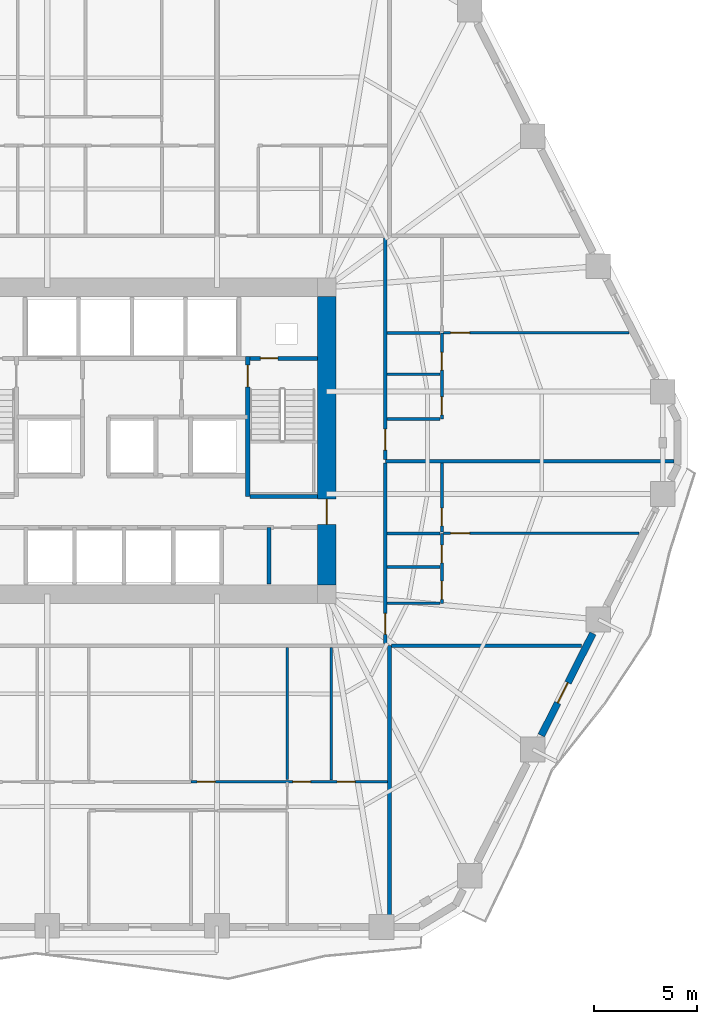
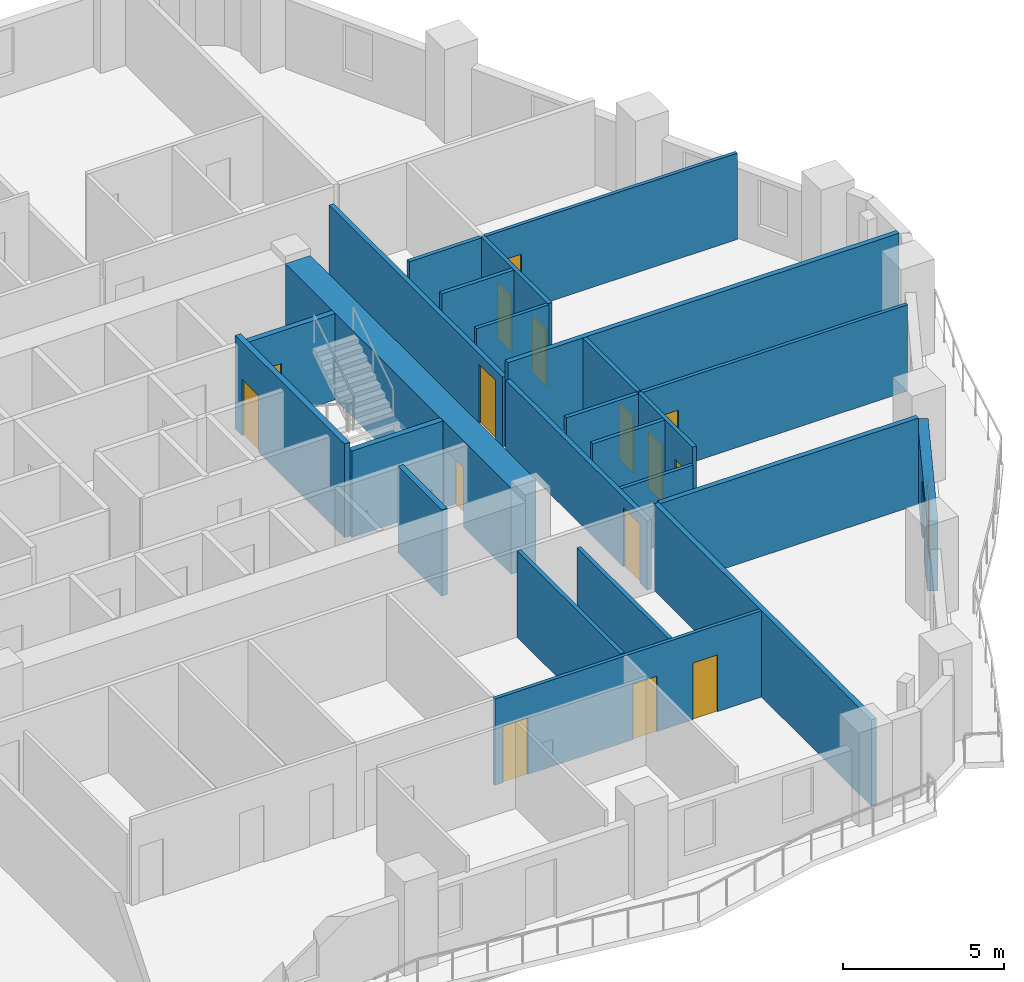
# One storey, part 6 of 12: 25 walls, 16 doors, 16 openings.
"""IFC4 building model written with IfcOpenShell, lengths in metres."""

from ifc_helpers import new_model, si_unit, direction, frame, frame_2d, origin, place, context, subcontext, project, spatial, rectangle, extrude, material, layer, layer_set, type_object, element, fill, save


model = new_model("IFC4")

# Units and contexts
model_context = context("Model", 3, precision=1e-05, world=origin(), true_north=direction((0.0, 1.0)))
body_context = subcontext(model_context, "Body", "Model", "MODEL_VIEW")
ifc_project = project(units=[si_unit("LENGTHUNIT", "METRE"), si_unit("AREAUNIT", "SQUARE_METRE"), si_unit("VOLUMEUNIT", "CUBIC_METRE"), si_unit("PLANEANGLEUNIT", "RADIAN"), si_unit("MASSUNIT", "GRAM", prefix="KILO")], contexts=[model_context])

# Site, building, storey
site_placement = place(None, origin())
site = spatial("IfcSite", under=ifc_project, at=site_placement, CompositionType="ELEMENT")
building_placement = place(site_placement, origin())
building = spatial("IfcBuilding", under=site, at=building_placement, Name="Cinnabar Lancet Tower", CompositionType="ELEMENT")
storey_placement = place(building_placement, frame((0.0, 0.0, 71.050048828125)))
storey = spatial("IfcBuildingStorey", under=building, at=storey_placement, Name="L18", CompositionType="ELEMENT", Elevation=71.050048828125)

# Wall, opening, door
ifc_material_1 = material(Name="Acoustic twin-stud gypsum partition", Category="gypsum")
ifc_layer_1 = layer(ifc_material_1, 0.159912109375)
ifc_layer_set_1 = layer_set([ifc_layer_1], Name="Acoustic twin-stud gypsum partition")
wall_type_1 = type_object("IfcWallType", Name="ARC-WL-CORR-160", PredefinedType="PARTITIONING", material=ifc_layer_set_1)
wall_1_placement = place(storey_placement, frame((44.699951171875, 16.044921875, 0.0), z_axis=(0.0, 0.0, 1.0), x_axis=(0.0, 1.0, 0.0)))
wall_1 = element("IfcWall", 1, at=wall_1_placement, inside=storey, type_object=wall_type_1, Name="UW-L18-E01-COR", PredefinedType="PARTITIONING", context=body_context, shape_type="SweptSolid", body=[
    extrude(rectangle(XDim=8.76513671875, YDim=0.159912109375, at=frame_2d((4.382568359375, 0.0))), origin(), (0.0, 0.0, 1.0), 2.639892578125),
])
opening_1_placement = place(wall_1_placement, frame((0.449951171875, 0.0, 0.0)))
opening_1 = element("IfcOpeningElement", 2, at=opening_1_placement, cuts=wall_1, Name="Opening UD-01", PredefinedType="OPENING", context=body_context, shape_type="SweptSolid", body=[
    extrude(rectangle(XDim=1.02001953125, YDim=2.25, at=frame_2d((0.510009765625, 1.125))), frame((0.0, 0.08984375, 0.0), z_axis=(0.0, -1.0, 0.0), x_axis=(1.0, 0.0, 0.0)), (0.0, 0.0, 1.0), 0.179931640625),
])
ifc_material_2 = material(Name="Solid timber fire-rated apartment entrance door", Category="wood")
door_type_1 = type_object("IfcDoorType", Name="ARC-DR-UNIT", OperationType="NOTDEFINED", PredefinedType="DOOR", material=ifc_material_2)
door_1_placement = place(opening_1_placement, origin())
door_1 = element("IfcDoor", 3, at=door_1_placement, inside=storey, type_object=door_type_1, Name="DR-L18-E01-ENT", OperationType="SINGLE_SWING_RIGHT", OverallHeight=2.25, OverallWidth=1.02001953125, PredefinedType="DOOR", context=body_context, shape_type="SweptSolid", body=[
    extrude(rectangle(XDim=1.02001953125, YDim=2.25, at=frame_2d((0.510009765625, 1.125))), frame((0.0, 0.02490234375, 0.0), z_axis=(0.0, -1.0, 0.0), x_axis=(1.0, 0.0, 0.0)), (0.0, 0.0, 1.0), 0.050048828125),
])
fill(opening_1, door_1)

wall_2_placement = place(storey_placement, frame((44.699951171875, 25.0, 0.0), z_axis=(0.0, 0.0, 1.0), x_axis=(0.0, 1.0, 0.0)))
wall_2 = element("IfcWall", 4, at=wall_2_placement, inside=storey, type_object=wall_type_1, Name="UW-L18-E02-COR", PredefinedType="PARTITIONING", context=body_context, shape_type="SweptSolid", body=[
    extrude(rectangle(XDim=10.7548828125, YDim=0.159912109375, at=frame_2d((5.37744140625, 0.0))), origin(), (0.0, 0.0, 1.0), 2.639892578125),
])
opening_2_placement = place(wall_2_placement, frame((0.449951171875, 0.0, 0.0)))
opening_2 = element("IfcOpeningElement", 5, at=opening_2_placement, cuts=wall_2, Name="Opening UD-01", PredefinedType="OPENING", context=body_context, shape_type="SweptSolid", body=[
    extrude(rectangle(XDim=1.02001953125, YDim=2.25, at=frame_2d((0.510009765625, 1.125))), frame((0.0, 0.08984375, 0.0), z_axis=(0.0, -1.0, 0.0), x_axis=(1.0, 0.0, 0.0)), (0.0, 0.0, 1.0), 0.179931640625),
])
door_2_placement = place(opening_2_placement, origin())
door_2 = element("IfcDoor", 6, at=door_2_placement, inside=storey, type_object=door_type_1, Name="DR-L18-E02-ENT", OperationType="SINGLE_SWING_LEFT", OverallHeight=2.25, OverallWidth=1.02001953125, PredefinedType="DOOR", context=body_context, shape_type="SweptSolid", body=[
    extrude(rectangle(XDim=1.02001953125, YDim=2.25, at=frame_2d((0.510009765625, 1.125))), frame((0.0, 0.02490234375, 0.0), z_axis=(0.0, -1.0, 0.0), x_axis=(1.0, 0.0, 0.0)), (0.0, 0.0, 1.0), 0.050048828125),
])
fill(opening_2, door_2)

# Walls
ifc_material_3 = material(Name="Fire-rated twin-frame acoustic drywall", Category="gypsum")
ifc_layer_2 = layer(ifc_material_3, 0.179931640625)
ifc_layer_set_2 = layer_set([ifc_layer_2], Name="Fire-rated twin-frame acoustic drywall")
wall_type_2 = type_object("IfcWallType", Name="ARC-WL-PARTY-180", PredefinedType="PARTITIONING", material=ifc_layer_set_2)
wall_3_placement = place(storey_placement, frame((44.89990234375, 2.455078125, 0.0), z_axis=(0.0, 0.0, 1.0), x_axis=(0.0, 1.0, 0.0)))
element("IfcWall", 7, at=wall_3_placement, inside=storey, type_object=wall_type_2, Name="PW-L18-SPTY-449", PredefinedType="PARTITIONING", context=body_context, shape_type="SweptSolid", body=[
    extrude(rectangle(XDim=13.494873046875, YDim=0.179931640625, at=frame_2d((6.74755859375, 0.0))), origin(), (0.0, 0.0, 1.0), 3.27001953125),
])
wall_4_placement = place(storey_placement, frame((44.9951171875, 15.949951171875, 0.0), z_axis=(0.0, 0.0, 1.0), x_axis=(1.0, 0.0, 0.0)))
element("IfcWall", 8, at=wall_4_placement, inside=storey, type_object=wall_type_2, Name="PW-L18-ESB", PredefinedType="PARTITIONING", context=body_context, shape_type="SweptSolid", body=[
    extrude(rectangle(XDim=9.240966796875, YDim=0.179931640625, at=frame_2d((4.62060546875, 0.0))), origin(), (0.0, 0.0, 1.0), 3.27001953125),
])
wall_5_placement = place(storey_placement, frame((44.699951171875, 24.905029296875, 0.0), z_axis=(0.0, 0.0, 1.0), x_axis=(1.0, 0.0, 0.0)))
element("IfcWall", 9, at=wall_5_placement, inside=storey, type_object=wall_type_2, Name="PW-L18-EPTY-1", PredefinedType="PARTITIONING", context=body_context, shape_type="SweptSolid", body=[
    extrude(rectangle(XDim=14.012939453125, YDim=0.179931640625, at=frame_2d((7.00634765625, 0.0))), origin(), (0.0, 0.0, 1.0), 3.27001953125),
])
ifc_material_4 = material(Name="Autoclaved aerated concrete blockwork", Category="masonry")
ifc_layer_3 = layer(ifc_material_4, 0.199951171875)
ifc_layer_set_3 = layer_set([ifc_layer_3], Name="Autoclaved aerated concrete blockwork")
wall_type_3 = type_object("IfcWallType", Name="ARC-WL-SHAFT-200", PredefinedType="PLUMBINGWALL", material=ifc_layer_set_3)
wall_6_placement = place(storey_placement, frame((38.125, 23.199951171875, 0.0), z_axis=(0.0, 0.0, 1.0), x_axis=(1.0, 0.0, 0.0)))
element("IfcWall", 10, at=wall_6_placement, inside=storey, type_object=wall_type_3, Name="CW-ST2S-L18", PredefinedType="PLUMBINGWALL", context=body_context, shape_type="SweptSolid", body=[
    extrude(rectangle(XDim=3.27001953125, YDim=0.199951171875, at=frame_2d((1.635009765625, 0.0))), origin(), (0.0, 0.0, 1.0), 3.27001953125),
])

# Wall, opening, door
wall_7_placement = place(storey_placement, frame((38.125, 29.89990234375, 0.0), z_axis=(0.0, 0.0, 1.0), x_axis=(1.0, 0.0, 0.0)))
wall_7 = element("IfcWall", 11, at=wall_7_placement, inside=storey, type_object=wall_type_3, Name="CW-NSH-E-L18", PredefinedType="PLUMBINGWALL", context=body_context, shape_type="SweptSolid", body=[
    extrude(rectangle(XDim=3.27001953125, YDim=0.199951171875, at=frame_2d((1.635009765625, 0.0))), origin(), (0.0, 0.0, 1.0), 3.27001953125),
])
opening_3_placement = place(wall_7_placement, frame((0.5, 0.0, 0.0)))
opening_3 = element("IfcOpeningElement", 12, at=opening_3_placement, cuts=wall_7, Name="Opening PD-02", PredefinedType="OPENING", context=body_context, shape_type="SweptSolid", body=[
    extrude(rectangle(XDim=0.85009765625, YDim=2.050048828125, at=frame_2d((0.425048828125, 1.02490234375))), frame((0.0, 0.10986328125, 0.0), z_axis=(0.0, -1.0, 0.0), x_axis=(1.0, 0.0, 0.0)), (0.0, 0.0, 1.0), 0.219970703125),
])
ifc_material_5 = material(Name="Fire-rated steel riser access door", Category="steel")
door_type_2 = type_object("IfcDoorType", Name="ARC-DR-RISER", OperationType="NOTDEFINED", PredefinedType="DOOR", material=ifc_material_5)
door_3_placement = place(opening_3_placement, origin())
door_3 = element("IfcDoor", 13, at=door_3_placement, inside=storey, type_object=door_type_2, Name="L18 East Riser Access Door", OperationType="SINGLE_SWING_RIGHT", OverallHeight=2.050048828125, OverallWidth=0.85009765625, PredefinedType="DOOR", context=body_context, shape_type="SweptSolid", body=[
    extrude(rectangle(XDim=0.85009765625, YDim=2.050048828125, at=frame_2d((0.425048828125, 1.02490234375))), frame((0.0, 0.02490234375, 0.0), z_axis=(0.0, -1.0, 0.0), x_axis=(1.0, 0.0, 0.0)), (0.0, 0.0, 1.0), 0.050048828125),
])
fill(opening_3, door_3)

# Wall
wall_8_placement = place(storey_placement, frame((39.050048828125, 18.949951171875, 0.0), z_axis=(0.0, 0.0, 1.0), x_axis=(0.0, 1.0, 0.0)))
element("IfcWall", 14, at=wall_8_placement, inside=storey, type_object=wall_type_3, Name="CW-SB-SE-L18", PredefinedType="PLUMBINGWALL", context=body_context, shape_type="SweptSolid", body=[
    extrude(rectangle(XDim=2.72998046875, YDim=0.199951171875, at=frame_2d((1.364990234375, 0.0))), origin(), (0.0, 0.0, 1.0), 3.27001953125),
])

# Wall, openings, doors
ifc_material_6 = material(Name="Gypsum plasterboard stud partition", Category="gypsum")
ifc_layer_4 = layer(ifc_material_6, 0.125)
ifc_layer_set_4 = layer_set([ifc_layer_4], Name="Gypsum plasterboard stud partition")
wall_type_4 = type_object("IfcWallType", Name="ARC-WL-UNIT-125", PredefinedType="PARTITIONING", material=ifc_layer_set_4)
wall_9_placement = place(storey_placement, frame((35.261962890625, 9.3369140625, 0.0), z_axis=(0.0, 0.0, 1.0), x_axis=(1.0, 0.0, 0.0)))
wall_9 = element("IfcWall", 15, at=wall_9_placement, inside=storey, type_object=wall_type_4, Name="UW-L18-S01-SP2", PredefinedType="PARTITIONING", context=body_context, shape_type="SweptSolid", body=[
    extrude(rectangle(XDim=9.54296875, YDim=0.125, at=frame_2d((4.771484375, 0.0))), origin(), (0.0, 0.0, 1.0), 3.27001953125),
])
opening_4_placement = place(wall_9_placement, frame((4.952880859375, 0.0, 0.0)))
opening_4 = element("IfcOpeningElement", 16, at=opening_4_placement, cuts=wall_9, Name="Opening BD-01", PredefinedType="OPENING", context=body_context, shape_type="SweptSolid", body=[
    extrude(rectangle(XDim=0.860107421875, YDim=2.10009765625, at=frame_2d((0.43017578125, 1.050048828125))), frame((0.0, 0.072509765625, 0.0), z_axis=(0.0, -1.0, 0.0), x_axis=(1.0, 0.0, 0.0)), (0.0, 0.0, 1.0), 0.14501953125),
])
opening_5_placement = place(wall_9_placement, frame((7.092041015625, 0.0, 0.0)))
opening_5 = element("IfcOpeningElement", 17, at=opening_5_placement, cuts=wall_9, Name="Opening RD-02", PredefinedType="OPENING", context=body_context, shape_type="SweptSolid", body=[
    extrude(rectangle(XDim=0.8798828125, YDim=2.14990234375, at=frame_2d((0.43994140625, 1.074951171875))), frame((0.0, 0.072509765625, 0.0), z_axis=(0.0, -1.0, 0.0), x_axis=(1.0, 0.0, 0.0)), (0.0, 0.0, 1.0), 0.14501953125),
])
opening_6_placement = place(wall_9_placement, frame((0.300048828125, 0.0, 0.0)))
opening_6 = element("IfcOpeningElement", 18, at=opening_6_placement, cuts=wall_9, Name="Opening RD-02", PredefinedType="OPENING", context=body_context, shape_type="SweptSolid", body=[
    extrude(rectangle(XDim=0.8798828125, YDim=2.14990234375, at=frame_2d((0.43994140625, 1.074951171875))), frame((0.0, 0.072509765625, 0.0), z_axis=(0.0, -1.0, 0.0), x_axis=(1.0, 0.0, 0.0)), (0.0, 0.0, 1.0), 0.14501953125),
])
ifc_material_7 = material(Name="Moisture-resistant timber bathroom door", Category="wood")
door_type_3 = type_object("IfcDoorType", Name="ARC-DR-BATH", OperationType="NOTDEFINED", PredefinedType="DOOR", material=ifc_material_7)
door_4_placement = place(opening_4_placement, origin())
door_4 = element("IfcDoor", 19, at=door_4_placement, inside=storey, type_object=door_type_3, Name="DR-L18-S01-ENS", OperationType="SINGLE_SWING_RIGHT", OverallHeight=2.10009765625, OverallWidth=0.860107421875, PredefinedType="DOOR", context=body_context, shape_type="SweptSolid", body=[
    extrude(rectangle(XDim=0.860107421875, YDim=2.10009765625, at=frame_2d((0.43017578125, 1.050048828125))), frame((0.0, 0.02490234375, 0.0), z_axis=(0.0, -1.0, 0.0), x_axis=(1.0, 0.0, 0.0)), (0.0, 0.0, 1.0), 0.050048828125),
])
fill(opening_4, door_4)
ifc_material_8 = material(Name="Engineered timber study door", Category="wood")
door_type_4 = type_object("IfcDoorType", Name="ARC-DR-STUDY", OperationType="NOTDEFINED", PredefinedType="DOOR", material=ifc_material_8)
door_5_placement = place(opening_5_placement, origin())
door_5 = element("IfcDoor", 20, at=door_5_placement, inside=storey, type_object=door_type_4, Name="DR-L18-S01-ENS-WDR", OperationType="SINGLE_SWING_LEFT", OverallHeight=2.14990234375, OverallWidth=0.8798828125, PredefinedType="DOOR", context=body_context, shape_type="SweptSolid", body=[
    extrude(rectangle(XDim=0.8798828125, YDim=2.14990234375, at=frame_2d((0.43994140625, 1.074951171875))), frame((0.0, 0.02490234375, 0.0), z_axis=(0.0, -1.0, 0.0), x_axis=(1.0, 0.0, 0.0)), (0.0, 0.0, 1.0), 0.050048828125),
])
fill(opening_5, door_5)
door_6_placement = place(opening_6_placement, origin())
door_6 = element("IfcDoor", 21, at=door_6_placement, inside=storey, type_object=door_type_4, Name="DR-L18-S01-DRS", OperationType="SINGLE_SWING_LEFT", OverallHeight=2.14990234375, OverallWidth=0.8798828125, PredefinedType="DOOR", context=body_context, shape_type="SweptSolid", body=[
    extrude(rectangle(XDim=0.8798828125, YDim=2.14990234375, at=frame_2d((0.43994140625, 1.074951171875))), frame((0.0, 0.02490234375, 0.0), z_axis=(0.0, -1.0, 0.0), x_axis=(1.0, 0.0, 0.0)), (0.0, 0.0, 1.0), 0.050048828125),
])
fill(opening_6, door_6)

# Wall
wall_10_placement = place(storey_placement, frame((44.784912109375, 18.0, 0.0), z_axis=(0.0, 0.0, 1.0), x_axis=(1.0, 0.0, 0.0)))
element("IfcWall", 22, at=wall_10_placement, inside=storey, type_object=wall_type_4, Name="UW-L18-E01-FOYN", PredefinedType="PARTITIONING", context=body_context, shape_type="SweptSolid", body=[
    extrude(rectangle(XDim=2.580078125, YDim=0.125, at=frame_2d((1.2900390625, 0.0))), origin(), (0.0, 0.0, 1.0), 2.639892578125),
])

# Wall, opening, door
wall_11_placement = place(storey_placement, frame((47.52490234375, 21.39990234375, 0.0), z_axis=(0.0, 0.0, 1.0), x_axis=(1.0, 0.0, 0.0)))
wall_11 = element("IfcWall", 23, at=wall_11_placement, inside=storey, type_object=wall_type_4, Name="UW-L18-E01-MBN", PredefinedType="PARTITIONING", context=body_context, shape_type="SweptSolid", body=[
    extrude(rectangle(XDim=9.484130859375, YDim=0.125, at=frame_2d((4.7421875, 0.0))), origin(), (0.0, 0.0, 1.0), 3.27001953125),
])
opening_7_placement = place(wall_11_placement, frame((0.35009765625, 0.0, 0.0)))
opening_7 = element("IfcOpeningElement", 24, at=opening_7_placement, cuts=wall_11, Name="Opening RD-01", PredefinedType="OPENING", context=body_context, shape_type="SweptSolid", body=[
    extrude(rectangle(XDim=0.919921875, YDim=2.14990234375, at=frame_2d((0.4599609375, 1.074951171875))), frame((0.0, 0.072509765625, 0.0), z_axis=(0.0, -1.0, 0.0), x_axis=(1.0, 0.0, 0.0)), (0.0, 0.0, 1.0), 0.14501953125),
])
ifc_material_9 = material(Name="Engineered timber bedroom door", Category="wood")
door_type_5 = type_object("IfcDoorType", Name="ARC-DR-ROOM", OperationType="NOTDEFINED", PredefinedType="DOOR", material=ifc_material_9)
door_7_placement = place(opening_7_placement, origin())
door_7 = element("IfcDoor", 25, at=door_7_placement, inside=storey, type_object=door_type_5, Name="DR-L18-E01-MBD", OperationType="SINGLE_SWING_RIGHT", OverallHeight=2.14990234375, OverallWidth=0.919921875, PredefinedType="DOOR", context=body_context, shape_type="SweptSolid", body=[
    extrude(rectangle(XDim=0.919921875, YDim=2.14990234375, at=frame_2d((0.4599609375, 1.074951171875))), frame((0.0, 0.02490234375, 0.0), z_axis=(0.0, -1.0, 0.0), x_axis=(1.0, 0.0, 0.0)), (0.0, 0.0, 1.0), 0.050048828125),
])
fill(opening_7, door_7)

# Wall
wall_12_placement = place(storey_placement, frame((44.784912109375, 26.955078125, 0.0), z_axis=(0.0, 0.0, 1.0), x_axis=(1.0, 0.0, 0.0)))
element("IfcWall", 26, at=wall_12_placement, inside=storey, type_object=wall_type_4, Name="UW-L18-E02-FOYN", PredefinedType="PARTITIONING", context=body_context, shape_type="SweptSolid", body=[
    extrude(rectangle(XDim=2.580078125, YDim=0.125, at=frame_2d((1.2900390625, 0.0))), origin(), (0.0, 0.0, 1.0), 3.27001953125),
])

# Wall, opening, door
wall_13_placement = place(storey_placement, frame((47.52490234375, 31.136962890625, 0.0), z_axis=(0.0, 0.0, 1.0), x_axis=(1.0, 0.0, 0.0)))
wall_13 = element("IfcWall", 27, at=wall_13_placement, inside=storey, type_object=wall_type_4, Name="UW-L18-E02-MBN", PredefinedType="PARTITIONING", context=body_context, shape_type="SweptSolid", body=[
    extrude(rectangle(XDim=9.010009765625, YDim=0.125, at=frame_2d((4.5048828125, 0.0))), origin(), (0.0, 0.0, 1.0), 3.27001953125),
])
opening_8_placement = place(wall_13_placement, frame((0.35009765625, 0.0, 0.0)))
opening_8 = element("IfcOpeningElement", 28, at=opening_8_placement, cuts=wall_13, Name="Opening RD-01", PredefinedType="OPENING", context=body_context, shape_type="SweptSolid", body=[
    extrude(rectangle(XDim=0.919921875, YDim=2.14990234375, at=frame_2d((0.4599609375, 1.074951171875))), frame((0.0, 0.072509765625, 0.0), z_axis=(0.0, -1.0, 0.0), x_axis=(1.0, 0.0, 0.0)), (0.0, 0.0, 1.0), 0.14501953125),
])
door_8_placement = place(opening_8_placement, origin())
door_8 = element("IfcDoor", 29, at=door_8_placement, inside=storey, type_object=door_type_5, Name="DR-L18-E02-MBD", OperationType="SINGLE_SWING_LEFT", OverallHeight=2.14990234375, OverallWidth=0.919921875, PredefinedType="DOOR", context=body_context, shape_type="SweptSolid", body=[
    extrude(rectangle(XDim=0.919921875, YDim=2.14990234375, at=frame_2d((0.4599609375, 1.074951171875))), frame((0.0, 0.02490234375, 0.0), z_axis=(0.0, -1.0, 0.0), x_axis=(1.0, 0.0, 0.0)), (0.0, 0.0, 1.0), 0.050048828125),
])
fill(opening_8, door_8)

# Walls
ifc_material_10 = material(Name="Moisture-resistant cement-board plumbing wall", Category="masonry")
ifc_layer_5 = layer(ifc_material_10, 0.139892578125)
ifc_layer_set_5 = layer_set([ifc_layer_5], Name="Moisture-resistant cement-board plumbing wall")
wall_type_5 = type_object("IfcWallType", Name="ARC-WL-WET-140", PredefinedType="PLUMBINGWALL", material=ifc_layer_set_5)
wall_14_placement = place(storey_placement, frame((39.93505859375, 9.44189453125, 0.0), z_axis=(0.0, 0.0, 1.0), x_axis=(0.0, 1.0, 0.0)))
element("IfcWall", 30, at=wall_14_placement, inside=storey, type_object=wall_type_5, Name="UW-L18-S01-UT3", PredefinedType="PLUMBINGWALL", context=body_context, shape_type="SweptSolid", body=[
    extrude(rectangle(XDim=6.423095703125, YDim=0.139892578125, at=frame_2d((3.21142578125, 0.0))), origin(), (0.0, 0.0, 1.0), 3.27001953125),
])
wall_15_placement = place(storey_placement, frame((42.073974609375, 9.422119140625, 0.0), z_axis=(0.0, 0.0, 1.0), x_axis=(0.0, 1.0, 0.0)))
element("IfcWall", 31, at=wall_15_placement, inside=storey, type_object=wall_type_5, Name="UW-L18-S01-ENS-WDV", PredefinedType="PLUMBINGWALL", context=body_context, shape_type="SweptSolid", body=[
    extrude(rectangle(XDim=6.44287109375, YDim=0.139892578125, at=frame_2d((3.221435546875, 0.0))), origin(), (0.0, 0.0, 1.0), 2.639892578125),
])

# Wall, openings, doors
wall_16_placement = place(storey_placement, frame((47.449951171875, 18.0, 0.0), z_axis=(0.0, 0.0, 1.0), x_axis=(0.0, 1.0, 0.0)))
wall_16 = element("IfcWall", 32, at=wall_16_placement, inside=storey, type_object=wall_type_5, Name="UW-L18-E01-SPL", PredefinedType="PLUMBINGWALL", context=body_context, shape_type="SweptSolid", body=[
    extrude(rectangle(XDim=3.39990234375, YDim=0.139892578125, at=frame_2d((1.699951171875, 0.0))), origin(), (0.0, 0.0, 1.0), 3.27001953125),
])
opening_9_placement = place(wall_16_placement, frame((0.199951171875, 0.0, 0.0)))
opening_9 = element("IfcOpeningElement", 33, at=opening_9_placement, cuts=wall_16, Name="Opening RD-02", PredefinedType="OPENING", context=body_context, shape_type="SweptSolid", body=[
    extrude(rectangle(XDim=0.8798828125, YDim=2.14990234375, at=frame_2d((0.43994140625, 1.074951171875))), frame((0.0, 0.079833984375, 0.0), z_axis=(0.0, -1.0, 0.0), x_axis=(1.0, 0.0, 0.0)), (0.0, 0.0, 1.0), 0.159912109375),
])
opening_10_placement = place(wall_16_placement, frame((1.968017578125, 0.0, 0.0)))
opening_10 = element("IfcOpeningElement", 34, at=opening_10_placement, cuts=wall_16, Name="Opening BD-01", PredefinedType="OPENING", context=body_context, shape_type="SweptSolid", body=[
    extrude(rectangle(XDim=0.860107421875, YDim=2.10009765625, at=frame_2d((0.43017578125, 1.050048828125))), frame((0.0, 0.079833984375, 0.0), z_axis=(0.0, -1.0, 0.0), x_axis=(1.0, 0.0, 0.0)), (0.0, 0.0, 1.0), 0.159912109375),
])
door_9_placement = place(opening_10_placement, origin())
door_9 = element("IfcDoor", 35, at=door_9_placement, inside=storey, type_object=door_type_3, Name="DR-L18-E01-BTH", OperationType="SINGLE_SWING_RIGHT", OverallHeight=2.10009765625, OverallWidth=0.860107421875, PredefinedType="DOOR", context=body_context, shape_type="SweptSolid", body=[
    extrude(rectangle(XDim=0.860107421875, YDim=2.10009765625, at=frame_2d((0.43017578125, 1.050048828125))), frame((0.0, 0.02490234375, 0.0), z_axis=(0.0, -1.0, 0.0), x_axis=(1.0, 0.0, 0.0)), (0.0, 0.0, 1.0), 0.050048828125),
])
fill(opening_10, door_9)
door_10_placement = place(opening_9_placement, origin())
door_10 = element("IfcDoor", 36, at=door_10_placement, inside=storey, type_object=door_type_4, Name="DR-L18-E01-KIT", OperationType="SINGLE_SWING_LEFT", OverallHeight=2.14990234375, OverallWidth=0.8798828125, PredefinedType="DOOR", context=body_context, shape_type="SweptSolid", body=[
    extrude(rectangle(XDim=0.8798828125, YDim=2.14990234375, at=frame_2d((0.43994140625, 1.074951171875))), frame((0.0, 0.02490234375, 0.0), z_axis=(0.0, -1.0, 0.0), x_axis=(1.0, 0.0, 0.0)), (0.0, 0.0, 1.0), 0.050048828125),
])
fill(opening_9, door_10)

# Wall, opening, door
wall_17_placement = place(storey_placement, frame((47.449951171875, 21.469970703125, 0.0), z_axis=(0.0, 0.0, 1.0), x_axis=(0.0, 1.0, 0.0)))
wall_17 = element("IfcWall", 37, at=wall_17_placement, inside=storey, type_object=wall_type_5, Name="UW-L18-E01-SPM", PredefinedType="PLUMBINGWALL", context=body_context, shape_type="SweptSolid", body=[
    extrude(rectangle(XDim=3.340087890625, YDim=0.139892578125, at=frame_2d((1.669921875, 0.0))), origin(), (0.0, 0.0, 1.0), 3.27001953125),
])
opening_11_placement = place(wall_17_placement, frame((0.300048828125, 0.0, 0.0)))
opening_11 = element("IfcOpeningElement", 38, at=opening_11_placement, cuts=wall_17, Name="Opening BD-01", PredefinedType="OPENING", context=body_context, shape_type="SweptSolid", body=[
    extrude(rectangle(XDim=0.860107421875, YDim=2.10009765625, at=frame_2d((0.43017578125, 1.050048828125))), frame((0.0, 0.079833984375, 0.0), z_axis=(0.0, -1.0, 0.0), x_axis=(1.0, 0.0, 0.0)), (0.0, 0.0, 1.0), 0.159912109375),
])
door_11_placement = place(opening_11_placement, origin())
door_11 = element("IfcDoor", 39, at=door_11_placement, inside=storey, type_object=door_type_3, Name="DR-L18-E01-ENS", OperationType="SINGLE_SWING_RIGHT", OverallHeight=2.10009765625, OverallWidth=0.860107421875, PredefinedType="DOOR", context=body_context, shape_type="SweptSolid", body=[
    extrude(rectangle(XDim=0.860107421875, YDim=2.10009765625, at=frame_2d((0.43017578125, 1.050048828125))), frame((0.0, 0.02490234375, 0.0), z_axis=(0.0, -1.0, 0.0), x_axis=(1.0, 0.0, 0.0)), (0.0, 0.0, 1.0), 0.050048828125),
])
fill(opening_11, door_11)

# Walls
for number, where, z_axis, x_axis, name in (
    (40, (44.784912109375, 21.39990234375, 0.0), (0.0, 0.0, 1.0), (1.0, 0.0, 0.0), "UW-L18-E01-ENSN"),
    (41, (44.784912109375, 19.76806640625, 0.0), (0.0, 0.0, 1.0), (1.0, 0.0, 0.0), "UW-L18-E01-KDV"),
):
    element("IfcWall", number, at=place(storey_placement, frame(where, z_axis=z_axis, x_axis=x_axis)), inside=storey, type_object=wall_type_5, Name=name, PredefinedType="PLUMBINGWALL", context=body_context, shape_type="SweptSolid", body=[
        extrude(rectangle(XDim=2.580078125, YDim=0.139892578125, at=frame_2d((1.2900390625, 0.0))), origin(), (0.0, 0.0, 1.0), 3.27001953125),
    ])

# Wall, openings, doors
wall_18_placement = place(storey_placement, frame((47.449951171875, 26.955078125, 0.0), z_axis=(0.0, 0.0, 1.0), x_axis=(0.0, 1.0, 0.0)))
wall_18 = element("IfcWall", 42, at=wall_18_placement, inside=storey, type_object=wall_type_5, Name="UW-L18-E02-SPL", PredefinedType="PLUMBINGWALL", context=body_context, shape_type="SweptSolid", body=[
    extrude(rectangle(XDim=4.181884765625, YDim=0.139892578125, at=frame_2d((2.0908203125, 0.0))), origin(), (0.0, 0.0, 1.0), 3.27001953125),
])
opening_12_placement = place(wall_18_placement, frame((0.199951171875, 0.0, 0.0)))
opening_12 = element("IfcOpeningElement", 43, at=opening_12_placement, cuts=wall_18, Name="Opening RD-02", PredefinedType="OPENING", context=body_context, shape_type="SweptSolid", body=[
    extrude(rectangle(XDim=0.8798828125, YDim=2.14990234375, at=frame_2d((0.43994140625, 1.074951171875))), frame((0.0, 0.079833984375, 0.0), z_axis=(0.0, -1.0, 0.0), x_axis=(1.0, 0.0, 0.0)), (0.0, 0.0, 1.0), 0.159912109375),
])
opening_13_placement = place(wall_18_placement, frame((2.375, 0.0, 0.0)))
opening_13 = element("IfcOpeningElement", 44, at=opening_13_placement, cuts=wall_18, Name="Opening BD-01", PredefinedType="OPENING", context=body_context, shape_type="SweptSolid", body=[
    extrude(rectangle(XDim=0.860107421875, YDim=2.10009765625, at=frame_2d((0.43017578125, 1.050048828125))), frame((0.0, 0.079833984375, 0.0), z_axis=(0.0, -1.0, 0.0), x_axis=(1.0, 0.0, 0.0)), (0.0, 0.0, 1.0), 0.159912109375),
])
door_12_placement = place(opening_13_placement, origin())
door_12 = element("IfcDoor", 45, at=door_12_placement, inside=storey, type_object=door_type_3, Name="DR-L18-E02-BTH", OperationType="SINGLE_SWING_LEFT", OverallHeight=2.10009765625, OverallWidth=0.860107421875, PredefinedType="DOOR", context=body_context, shape_type="SweptSolid", body=[
    extrude(rectangle(XDim=0.860107421875, YDim=2.10009765625, at=frame_2d((0.43017578125, 1.050048828125))), frame((0.0, 0.02490234375, 0.0), z_axis=(0.0, -1.0, 0.0), x_axis=(1.0, 0.0, 0.0)), (0.0, 0.0, 1.0), 0.050048828125),
])
fill(opening_13, door_12)
door_13_placement = place(opening_12_placement, origin())
door_13 = element("IfcDoor", 46, at=door_13_placement, inside=storey, type_object=door_type_4, Name="DR-L18-E02-KIT", OperationType="SINGLE_SWING_RIGHT", OverallHeight=2.14990234375, OverallWidth=0.8798828125, PredefinedType="DOOR", context=body_context, shape_type="SweptSolid", body=[
    extrude(rectangle(XDim=0.8798828125, YDim=2.14990234375, at=frame_2d((0.43994140625, 1.074951171875))), frame((0.0, 0.02490234375, 0.0), z_axis=(0.0, -1.0, 0.0), x_axis=(1.0, 0.0, 0.0)), (0.0, 0.0, 1.0), 0.050048828125),
])
fill(opening_12, door_13)

# Walls
for number, where, z_axis, x_axis, name in (
    (47, (44.784912109375, 31.136962890625, 0.0), (0.0, 0.0, 1.0), (1.0, 0.0, 0.0), "UW-L18-E02-ENSN"),
    (48, (44.784912109375, 29.1298828125, 0.0), (0.0, 0.0, 1.0), (1.0, 0.0, 0.0), "UW-L18-E02-KDV"),
):
    element("IfcWall", number, at=place(storey_placement, frame(where, z_axis=z_axis, x_axis=x_axis)), inside=storey, type_object=wall_type_5, Name=name, PredefinedType="PLUMBINGWALL", context=body_context, shape_type="SweptSolid", body=[
        extrude(rectangle(XDim=2.580078125, YDim=0.139892578125, at=frame_2d((1.2900390625, 0.0))), origin(), (0.0, 0.0, 1.0), 3.27001953125),
    ])

# Wall, opening, door
ifc_material_11 = material(Name="Cinnabar red clay brick", Category="masonry")
ifc_layer_6 = layer(ifc_material_11, 0.340087890625)
ifc_layer_set_6 = layer_set([ifc_layer_6], Name="Cinnabar red clay brick")
wall_type_6 = type_object("IfcWallType", Name="ENV-WL-BRK-RED-340", PredefinedType="STANDARD", material=ifc_layer_set_6)
wall_19_placement = place(storey_placement, frame((52.27099609375, 11.590087890625, 0.0), z_axis=(0.0, 0.0, 1.0), x_axis=(0.451592100298, 0.892224509273, 0.0)))
wall_19 = element("IfcWall", 49, at=wall_19_placement, inside=storey, type_object=wall_type_6, Name="L18 Face 2 Masonry Bay Wall 3", PredefinedType="STANDARD", context=body_context, shape_type="SweptSolid", body=[
    extrude(rectangle(XDim=5.546875, YDim=0.340087890625, at=frame_2d((2.7734375, 0.0))), origin(), (0.0, 0.0, 1.0), 2.65185546875),
])
opening_14_placement = place(wall_19_placement, frame((1.76806640625, 0.0, 0.0)))
opening_14 = element("IfcOpeningElement", 50, at=opening_14_placement, cuts=wall_19, Name="Opening TD-01", PredefinedType="OPENING", context=body_context, shape_type="SweptSolid", body=[
    extrude(rectangle(XDim=1.10009765625, YDim=2.25, at=frame_2d((0.550048828125, 1.125))), frame((0.0, 0.179931640625, 0.0), z_axis=(0.0, -1.0, 0.0), x_axis=(1.0, 0.0, 0.0)), (0.0, 0.0, 1.0), 0.360107421875),
])
ifc_material_12 = material(Name="Thermally broken low-E glazed balcony terrace door", Category="wood")
door_type_6 = type_object("IfcDoorType", Name="ARC-DR-BALC", OperationType="NOTDEFINED", PredefinedType="DOOR", material=ifc_material_12)
door_14_placement = place(opening_14_placement, origin())
door_14 = element("IfcDoor", 51, at=door_14_placement, inside=storey, type_object=door_type_6, Name="L18 Face 2 Glazed Terrace Door", OperationType="SINGLE_SWING_LEFT", OverallHeight=2.25, OverallWidth=1.10009765625, PredefinedType="DOOR", context=body_context, shape_type="SweptSolid", body=[
    extrude(rectangle(XDim=1.10009765625, YDim=2.25, at=frame_2d((0.550048828125, 1.125))), frame((0.0, 0.02490234375, 0.0), z_axis=(0.0, -1.0, 0.0), x_axis=(1.0, 0.0, 0.0)), (0.0, 0.0, 1.0), 0.050048828125),
])
fill(opening_14, door_14)

ifc_material_13 = material(Name="Concrete C80/95", Category="concrete")
ifc_layer_7 = layer(ifc_material_13, 0.89990234375)
ifc_layer_set_7 = layer_set([ifc_layer_7], Name="Concrete C80/95")
wall_type_7 = type_object("IfcWallType", Name="STR-WL-CORE-900", PredefinedType="SHEAR", material=ifc_layer_set_7)
wall_20_placement = place(storey_placement, frame((41.85009765625, 18.89990234375, 0.0), z_axis=(0.0, 0.0, 1.0), x_axis=(0.0, 1.0, 0.0)))
wall_20 = element("IfcWall", 52, at=wall_20_placement, inside=storey, type_object=wall_type_7, Name="L18 Core Shear Wall E", PredefinedType="SHEAR", context=body_context, shape_type="SweptSolid", body=[
    extrude(rectangle(XDim=14.0, YDim=0.89990234375, at=frame_2d((7.0, 0.0))), origin(), (0.0, 0.0, 1.0), 3.27001953125),
])
opening_15_placement = place(wall_20_placement, frame((2.93994140625, 0.0, 0.0)))
opening_15 = element("IfcOpeningElement", 53, at=opening_15_placement, cuts=wall_20, Name="Opening FD-02", PredefinedType="OPENING", context=body_context, shape_type="SweptSolid", body=[
    extrude(rectangle(XDim=1.219970703125, YDim=2.25, at=frame_2d((0.60986328125, 1.125))), frame((0.0, 0.4599609375, 0.0), z_axis=(0.0, -1.0, 0.0), x_axis=(1.0, 0.0, 0.0)), (0.0, 0.0, 1.0), 0.919921875),
])
ifc_material_14 = material(Name="Fire-rated double-vision core portal door", Category="wood")
door_type_7 = type_object("IfcDoorType", Name="ARC-DR-CPORT", OperationType="NOTDEFINED", PredefinedType="DOOR", material=ifc_material_14)
door_15_placement = place(opening_15_placement, origin())
door_15 = element("IfcDoor", 54, at=door_15_placement, inside=storey, type_object=door_type_7, Name="L18 East Core Lobby Fire Door", OperationType="SINGLE_SWING_LEFT", OverallHeight=2.25, OverallWidth=1.219970703125, PredefinedType="DOOR", context=body_context, shape_type="SweptSolid", body=[
    extrude(rectangle(XDim=1.219970703125, YDim=2.25, at=frame_2d((0.60986328125, 1.125))), frame((0.0, 0.02490234375, 0.0), z_axis=(0.0, -1.0, 0.0), x_axis=(1.0, 0.0, 0.0)), (0.0, 0.0, 1.0), 0.050048828125),
])
fill(opening_15, door_15)

ifc_material_15 = material(Name="Concrete C50/60", Category="concrete")
ifc_layer_8 = layer(ifc_material_15, 0.199951171875)
ifc_layer_set_8 = layer_set([ifc_layer_8], Name="Concrete C50/60")
wall_type_8 = type_object("IfcWallType", Name="STR-WL-STAIR-200", PredefinedType="SHEAR", material=ifc_layer_set_8)
wall_21_placement = place(storey_placement, frame((38.02001953125, 23.199951171875, 0.0), z_axis=(0.0, 0.0, 1.0), x_axis=(0.0, 1.0, 0.0)))
wall_21 = element("IfcWall", 55, at=wall_21_placement, inside=storey, type_object=wall_type_8, Name="L18 Stair ST-2 Structural Enclosure Wall", PredefinedType="SHEAR", context=body_context, shape_type="SweptSolid", body=[
    extrude(rectangle(XDim=6.780029296875, YDim=0.199951171875, at=frame_2d((3.39013671875, 0.0))), origin(), (0.0, 0.0, 1.0), 3.550048828125),
])
opening_16_placement = place(wall_21_placement, frame((5.320068359375, 0.0, 0.0)))
opening_16 = element("IfcOpeningElement", 56, at=opening_16_placement, cuts=wall_21, Name="Opening SD-01", PredefinedType="OPENING", context=body_context, shape_type="SweptSolid", body=[
    extrude(rectangle(XDim=1.050048828125, YDim=2.14990234375, at=frame_2d((0.52490234375, 1.074951171875))), frame((0.0, 0.10986328125, 0.0), z_axis=(0.0, -1.0, 0.0), x_axis=(1.0, 0.0, 0.0)), (0.0, 0.0, 1.0), 0.219970703125),
])
ifc_material_16 = material(Name="Fire-rated steel stair exit door", Category="steel")
door_type_8 = type_object("IfcDoorType", Name="ARC-DR-STAIR", OperationType="NOTDEFINED", PredefinedType="DOOR", material=ifc_material_16)
door_16_placement = place(opening_16_placement, origin())
door_16 = element("IfcDoor", 57, at=door_16_placement, inside=storey, type_object=door_type_8, Name="L18 Stair ST-2 Fire Door", OperationType="SINGLE_SWING_RIGHT", OverallHeight=2.14990234375, OverallWidth=1.050048828125, PredefinedType="DOOR", context=body_context, shape_type="SweptSolid", body=[
    extrude(rectangle(XDim=1.050048828125, YDim=2.14990234375, at=frame_2d((0.52490234375, 1.074951171875))), frame((0.0, 0.02490234375, 0.0), z_axis=(0.0, -1.0, 0.0), x_axis=(1.0, 0.0, 0.0)), (0.0, 0.0, 1.0), 0.050048828125),
])
fill(opening_16, door_16)

save(model, "model.ifc")
